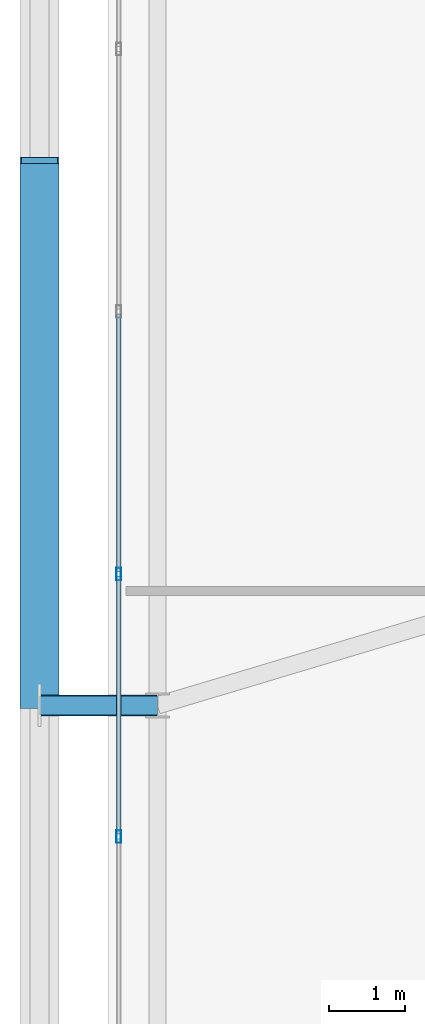
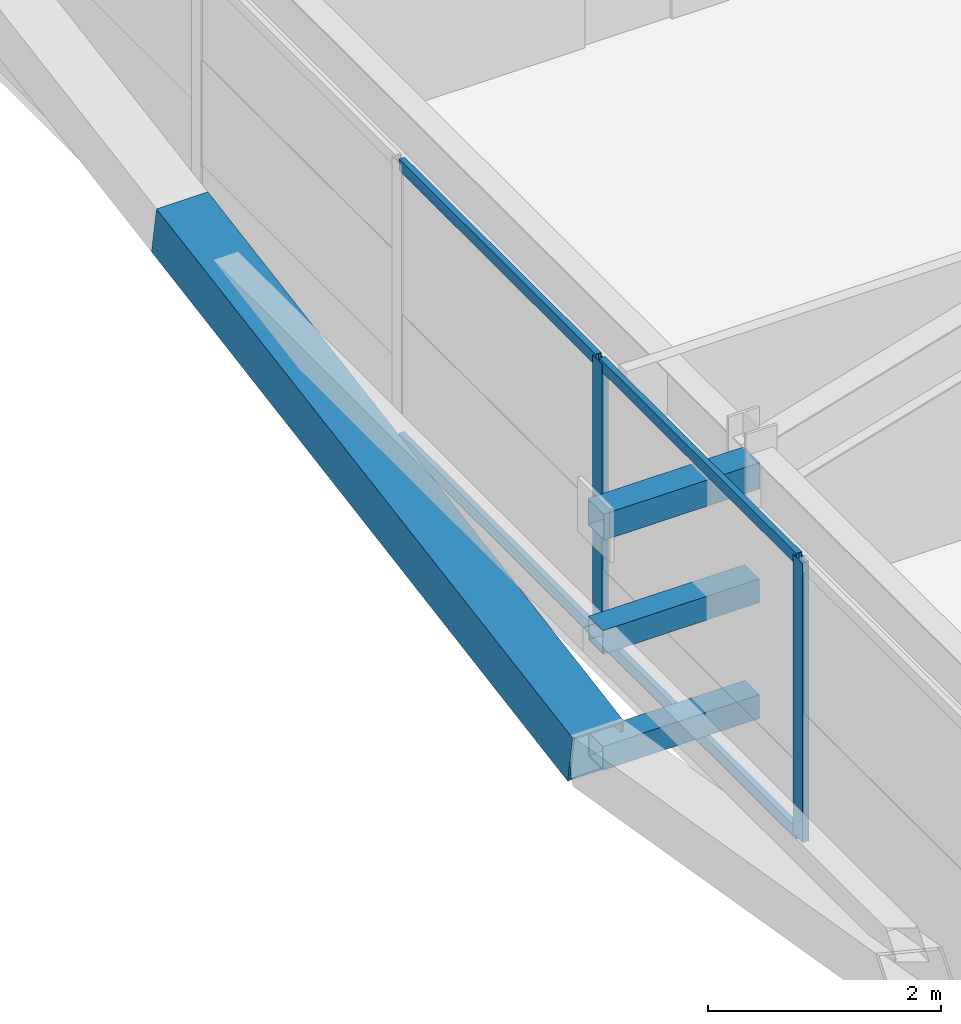
# One storey, part 14 of 59: 10 members, 1 element without a shape of its own.
"""IFC4 building model written with IfcOpenShell, lengths in metres."""

from ifc_helpers import new_model, si_unit, direction, frame, origin, origin_2d, place, context, subcontext, project, spatial, hollow_rectangle, extrude, source, transform, mapped, material, layer, layer_set, material_profile, profile_set, type_object, element, aggregate, save


model = new_model("IFC4")

# Units and contexts
model_context = context("Model", 3, precision=1e-05, world=origin(), true_north=direction((0.0, 1.0)))
body_context = subcontext(model_context, "Body", "Model", "MODEL_VIEW")
ifc_project = project(units=[si_unit("LENGTHUNIT", "METRE"), si_unit("AREAUNIT", "SQUARE_METRE"), si_unit("VOLUMEUNIT", "CUBIC_METRE"), si_unit("PLANEANGLEUNIT", "RADIAN"), si_unit("MASSUNIT", "GRAM", prefix="KILO")], contexts=[model_context])

# Site, building, storey
site_placement = place(None, origin())
site = spatial("IfcSite", under=ifc_project, at=site_placement, CompositionType="ELEMENT")
building_placement = place(site_placement, origin())
building = spatial("IfcBuilding", under=site, at=building_placement, Name="Taldren Reach Tower", CompositionType="ELEMENT")
storey_placement = place(building_placement, frame((0.0, 0.0, 26.25)))
storey = spatial("IfcBuildingStorey", under=building, at=storey_placement, Name="L07", CompositionType="ELEMENT", Elevation=26.25)

# Members
ifc_material_1 = material(Name="Steel Gr 450 (C450L0)", Category="steel")
ifc_material_profile_1 = material_profile(ifc_material_1, hollow_rectangle(XDim=0.27490234375, YDim=0.27490234375, WallThickness=0.00927734375, at=origin_2d()), Name="275x275x9.3SHS")
ifc_profile_set_1 = profile_set([ifc_material_profile_1], Name="Steel Gr 450 (C450L0)")
member_type_1 = type_object("IfcMemberType", Name="MB-TIE273", PredefinedType="STRUT", material=ifc_profile_set_1)
shared_shape_1 = source(origin(), body_context, "Body", "SweptSolid", [
    extrude(hollow_rectangle(XDim=0.27490234375, YDim=0.27490234375, WallThickness=0.00927734375, at=origin_2d()), origin(), (0.0, 0.0, 1.0), 1.5498046875),
])
member_1_placement = place(storey_placement, frame((5.64990234375, 20.0, 2.64990234375), z_axis=(-1.0, 0.0, 0.0), x_axis=(0.0, -1.0, 0.0)))
element("IfcMember", 1, at=member_1_placement, inside=storey, type_object=member_type_1, Name="Exoskeleton diaphragm tie strut B1-W2 L07", PredefinedType="STRUT", context=body_context, shape_type="MappedRepresentation", body=[
    mapped(shared_shape_1, transform((0.0, 0.0, 0.0), scale=1.0)),
])
ifc_material_2 = material(Name="Steel Gr 350 (C350L0)", Category="steel")
ifc_material_profile_2 = material_profile(ifc_material_2, hollow_rectangle(XDim=0.25, YDim=0.25, WallThickness=0.010009765625, at=origin_2d()), Name="250x250x10.0SHS")
ifc_profile_set_2 = profile_set([ifc_material_profile_2], Name="Steel Gr 350 (C350L0)")
member_type_2 = type_object("IfcMemberType", Name="MB-POST250", PredefinedType="POST", material=ifc_profile_set_2)
shared_shape_2 = source(origin(), body_context, "Body", "SweptSolid", [
    extrude(hollow_rectangle(XDim=0.25, YDim=0.25, WallThickness=0.010009765625, at=origin_2d()), origin(), (0.0, 0.0, 1.0), 1.5498046875),
])
for number, where, z_axis, x_axis, name in (
    (2, (5.64990234375, 20.0, 0.219970703125), (-1.0, 0.0, 0.0), (0.0, -1.0, 0.0), "Exoskeleton base diaphragm tie strut B1-W2 L07"),
    (3, (5.64990234375, 20.0, 1.43505859375), (-1.0, 0.0, 0.0), (0.0, -1.0, 0.0), "Exoskeleton mid-tier diaphragm tie B1-W2 L07"),
):
    element("IfcMember", number, at=place(storey_placement, frame(where, z_axis=z_axis, x_axis=x_axis)), inside=storey, type_object=member_type_2, Name=name, PredefinedType="POST", context=body_context, shape_type="MappedRepresentation", body=[
        mapped(shared_shape_2, transform((0.0, 0.0, 0.0), scale=1.0)),
    ])
ifc_material_profile_3 = material_profile(ifc_material_1, hollow_rectangle(XDim=0.510009765625, YDim=0.510009765625, WallThickness=0.02001953125, at=origin_2d()), Name="510x510x20.0SHS")
ifc_profile_set_3 = profile_set([ifc_material_profile_3], Name="Steel Gr 450 (C450L0)")
member_type_3 = type_object("IfcMemberType", Name="MB-EXO508", PredefinedType="BRACE", material=ifc_profile_set_3)
shared_shape_3 = source(origin(), body_context, "Body", "SweptSolid", [
    extrude(hollow_rectangle(XDim=0.510009765625, YDim=0.510009765625, WallThickness=0.02001953125, at=origin_2d()), origin(), (0.0, 0.0, 1.0), 7.25244140625),
])
member_2_placement = place(storey_placement, frame((4.10009765625, 20.0, 0.219970703125), z_axis=(0.0, 0.985864855729, 0.167542490848), x_axis=(-1.0, 0.0, 0.0)))
element("IfcMember", 4, at=member_2_placement, inside=storey, type_object=member_type_3, Name="Exoskeleton Diagrid Brace B1-W2 L07", PredefinedType="BRACE", context=body_context, shape_type="MappedRepresentation", body=[
    mapped(shared_shape_3, transform((0.0, 0.0, 0.0), scale=1.0)),
])

# Curtain wall, members
ifc_material_3 = material(Name="Aluminium and Low-E Glass Unitised System", Category="aluminium")
ifc_layer = layer(ifc_material_3, 0.159912109375)
ifc_layer_set = layer_set([ifc_layer], Name="Aluminium and Low-E Glass Unitised System")
curtain_wall_type = type_object("IfcCurtainWallType", Name="CW-SYS-2", PredefinedType="NOTDEFINED", material=ifc_layer_set)
curtain_wall_placement = place(storey_placement, origin())
curtain_wall = element("IfcCurtainWall", 5, at=curtain_wall_placement, inside=storey, type_object=curtain_wall_type, Name="Unitised curtain wall CW-L07-W", PredefinedType="NOTDEFINED")
ifc_material_4 = material(Name="Anodised Aluminium 6063-T6", Category="aluminium")
ifc_material_profile_4 = material_profile(ifc_material_4, hollow_rectangle(XDim=0.06494140625, YDim=0.1650390625, WallThickness=0.00390625, at=origin_2d()), Name="ALU-165x65x4RHS")
ifc_profile_set_4 = profile_set([ifc_material_profile_4], Name="Anodised Aluminium 6063-T6")
member_type_4 = type_object("IfcMemberType", Name="CW-MUL-165", PredefinedType="MULLION", material=ifc_profile_set_4)
shared_shape_4 = source(origin(), body_context, "Body", "SweptSolid", [
    extrude(hollow_rectangle(XDim=0.06494140625, YDim=0.1650390625, WallThickness=0.00390625, at=origin_2d()), origin(), (0.0, 0.0, 1.0), 2.929931640625),
])
member_3_placement = place(storey_placement, frame((5.139892578125, 21.72216796875, 0.0), z_axis=(0.0, 0.0, 1.0), x_axis=(1.0, 0.0, 0.0)))
member_3 = element("IfcMember", 6, at=member_3_placement, type_object=member_type_4, Name="CW-2 mullion 5", PredefinedType="MULLION", context=body_context, shape_type="MappedRepresentation", body=[
    mapped(shared_shape_4, transform((0.0, 0.0, 0.0), scale=1.0)),
])
member_4_placement = place(storey_placement, frame((5.139892578125, 18.27783203125, 0.0), z_axis=(0.0, 0.0, 1.0), x_axis=(1.0, 0.0, 0.0)))
member_4 = element("IfcMember", 7, at=member_4_placement, type_object=member_type_4, Name="CW-2 mullion 6", PredefinedType="MULLION", context=body_context, shape_type="MappedRepresentation", body=[
    mapped(shared_shape_4, transform((0.0, 0.0, 0.0), scale=1.0)),
])
ifc_material_profile_5 = material_profile(ifc_material_4, hollow_rectangle(XDim=0.054931640625, YDim=0.1201171875, WallThickness=0.0029296875, at=origin_2d()), Name="ALU-120x55x3RHS")
ifc_profile_set_5 = profile_set([ifc_material_profile_5], Name="Anodised Aluminium 6063-T6")
member_type_5 = type_object("IfcMemberType", Name="CW-TRN-135", PredefinedType="USERDEFINED", material=ifc_profile_set_5)
shared_shape_5 = source(origin(), body_context, "Body", "SweptSolid", [
    extrude(hollow_rectangle(XDim=0.054931640625, YDim=0.1201171875, WallThickness=0.0029296875, at=origin_2d()), origin(), (0.0, 0.0, 1.0), 3.37939453125),
])
member_5_placement = place(storey_placement, frame((5.139892578125, 21.689697265625, 0.027587890625), z_axis=(0.0, -1.0, 0.0), x_axis=(1.0, 0.0, 0.0)))
member_5 = element("IfcMember", 8, at=member_5_placement, type_object=member_type_5, Name="CW-2 transom 5.1", ObjectType="TRANSOM", PredefinedType="USERDEFINED", context=body_context, shape_type="MappedRepresentation", body=[
    mapped(shared_shape_5, transform((0.0, 0.0, 0.0), scale=1.0)),
])
member_6_placement = place(storey_placement, frame((5.139892578125, 21.689697265625, 2.902587890625), z_axis=(0.0, -1.0, 0.0), x_axis=(1.0, 0.0, 0.0)))
member_6 = element("IfcMember", 9, at=member_6_placement, type_object=member_type_5, Name="CW-2 transom 5.2", ObjectType="TRANSOM", PredefinedType="USERDEFINED", context=body_context, shape_type="MappedRepresentation", body=[
    mapped(shared_shape_5, transform((0.0, 0.0, 0.0), scale=1.0)),
])
shared_shape_6 = source(origin(), body_context, "Body", "SweptSolid", [
    extrude(hollow_rectangle(XDim=0.054931640625, YDim=0.1201171875, WallThickness=0.0029296875, at=origin_2d()), origin(), (0.0, 0.0, 1.0), 3.379638671875),
])
member_7_placement = place(storey_placement, frame((5.139892578125, 25.13427734375, 0.027587890625), z_axis=(0.0, -1.0, 0.0), x_axis=(1.0, 0.0, 0.0)))
member_7 = element("IfcMember", 10, at=member_7_placement, type_object=member_type_5, Name="CW-2 transom 4.1", ObjectType="TRANSOM", PredefinedType="USERDEFINED", context=body_context, shape_type="MappedRepresentation", body=[
    mapped(shared_shape_6, transform((0.0, 0.0, 0.0), scale=1.0)),
])
member_8_placement = place(storey_placement, frame((5.139892578125, 25.13427734375, 2.902587890625), z_axis=(0.0, -1.0, 0.0), x_axis=(1.0, 0.0, 0.0)))
member_8 = element("IfcMember", 11, at=member_8_placement, type_object=member_type_5, Name="CW-2 transom 4.2", ObjectType="TRANSOM", PredefinedType="USERDEFINED", context=body_context, shape_type="MappedRepresentation", body=[
    mapped(shared_shape_6, transform((0.0, 0.0, 0.0), scale=1.0)),
])
aggregate(curtain_wall, [member_3, member_4, member_7, member_8, member_5, member_6])

save(model, "model.ifc")
